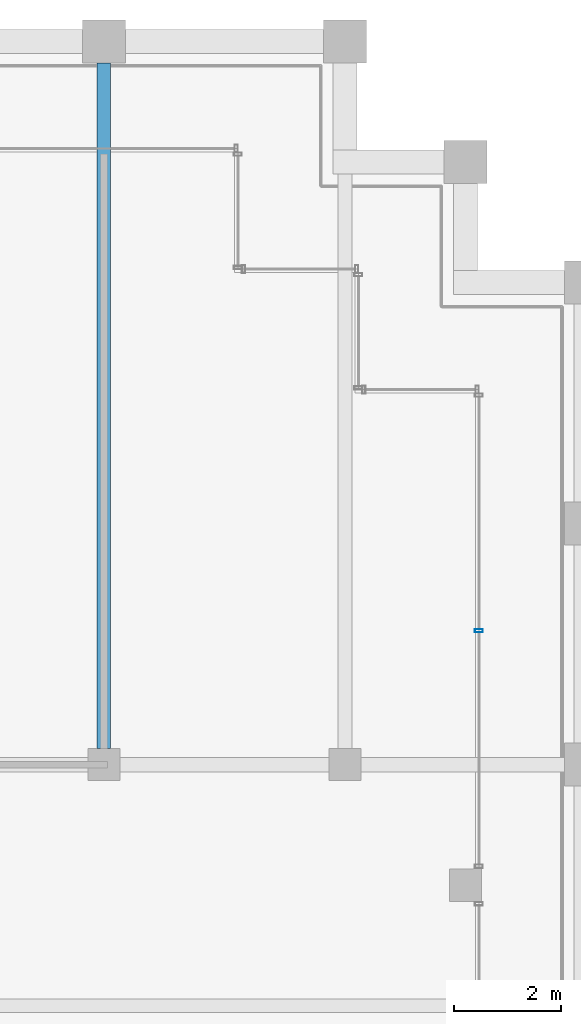
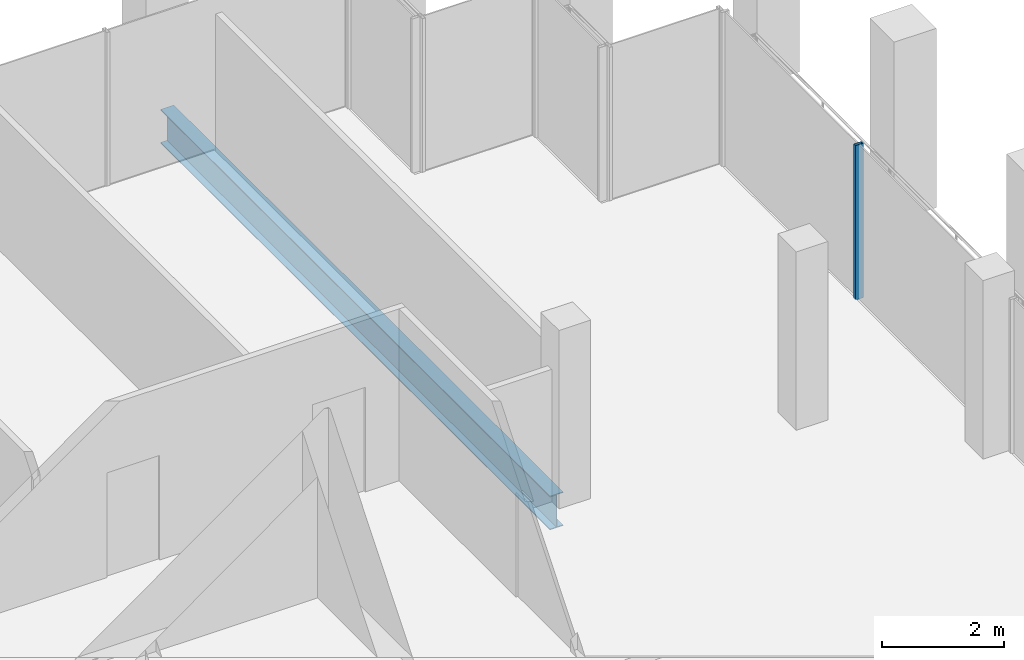
# One storey, part 24 of 30: 1 beam, 1 member, 1 element without a shape of its own.
"""IFC4 building model written with IfcOpenShell, lengths in metres."""

import ifcopenshell
import ifcopenshell.guid

model = None  # the IFC model being written
_history = None  # IfcOwnerHistory: only IFC2X3 demands one
_inside = {}  # id of a spatial element -> (the spatial element, [elements in it])
_under = {}  # id of a project, library or spatial element -> (it, [spatial elements below it])
_declared = {}  # id of a project -> (the project, [libraries it declares])
_typed = {}  # id of a type object -> (the type object, [elements of that type])
_made_of = {}  # id of a material, layer set ... -> (it, [elements and type objects made of it])


def new_model(schema):
    """Start an empty IFC model of exactly this schema.

    Asked for "IFC4X3", IfcOpenShell would pick the latest addendum, in which some entities
    have other attributes; the version numbers below select the first issue.
    IFC2X3 requires an IfcOwnerHistory on every rooted entity: one is made here for all.
    """
    global model, _history
    if schema == "IFC4X3":
        model = ifcopenshell.file(schema_version=(4, 3, 0, 0))
    else:
        model = ifcopenshell.file(schema=schema)
    _inside.clear()
    _under.clear()
    _declared.clear()
    _typed.clear()
    _made_of.clear()
    _history = None
    if model.schema == "IFC2X3":
        org = make("IfcOrganization", Name="unknown")
        user = make(
            "IfcPersonAndOrganization",
            ThePerson=make("IfcPerson", FamilyName="unknown"),
            TheOrganization=org,
        )
        app = make(
            "IfcApplication",
            ApplicationDeveloper=org,
            Version="unknown",
            ApplicationFullName="unknown",
            ApplicationIdentifier="unknown",
        )
        _history = make(
            "IfcOwnerHistory",
            OwningUser=user,
            OwningApplication=app,
            ChangeAction="ADDED",
            CreationDate=0,
        )
    return model


def make(cls, **values):
    """One entity of the class cls with the attributes given. An attribute that is None is left unset."""
    return model.create_entity(
        cls, **{name: value for name, value in values.items() if value is not None}
    )


def rooted(cls, **values):
    """An entity with a GlobalId (a new one), such as an element, a storey or a relation."""
    return make(cls, GlobalId=ifcopenshell.guid.new(), OwnerHistory=_history, **values)


def si_unit(unit_type, name, prefix=None):
    """IfcSIUnit, for example si_unit("LENGTHUNIT", "METRE", prefix="MILLI")."""
    return make("IfcSIUnit", UnitType=unit_type, Prefix=prefix, Name=name)


def assignment(units):
    """IfcUnitAssignment: the units of a project."""
    return None if units is None else make("IfcUnitAssignment", Units=units)


def point(xyz):
    """IfcCartesianPoint."""
    return None if xyz is None else make("IfcCartesianPoint", Coordinates=xyz)


def direction(xyz):
    """IfcDirection."""
    return None if xyz is None else make("IfcDirection", DirectionRatios=xyz)


def frame(location, z_axis=None, x_axis=None):
    """IfcAxis2Placement3D, a coordinate frame: its origin and axes. An axis left out is left unset."""
    return make(
        "IfcAxis2Placement3D",
        Location=point(location),
        Axis=direction(z_axis),
        RefDirection=direction(x_axis),
    )


def frame_2d(location, x_axis=None):
    """IfcAxis2Placement2D, a coordinate frame in the plane: its origin and x axis."""
    return make(
        "IfcAxis2Placement2D", Location=point(location), RefDirection=direction(x_axis)
    )


def origin():
    """The frame at (0, 0, 0) with its axes left unset."""
    return frame((0.0, 0.0, 0.0))


def origin_2d():
    """The frame at (0, 0) in the plane with its x axis left unset."""
    return frame_2d((0.0, 0.0))


def place(relative_to, where):
    """IfcLocalPlacement: puts the frame where relative to a parent placement (None: the world)."""
    return make(
        "IfcLocalPlacement", PlacementRelTo=relative_to, RelativePlacement=where
    )


def context(
    kind, dimensions, precision=None, world=None, true_north=None, identifier=None
):
    """IfcGeometricRepresentationContext, for example the 3D "Model" context."""
    return make(
        "IfcGeometricRepresentationContext",
        ContextIdentifier=identifier,
        ContextType=kind,
        CoordinateSpaceDimension=dimensions,
        Precision=precision,
        WorldCoordinateSystem=world,
        TrueNorth=true_north,
    )


def subcontext(parent, identifier, kind, view, scale=None):
    """IfcGeometricRepresentationSubContext, for example "Body" below "Model"."""
    return make(
        "IfcGeometricRepresentationSubContext",
        ContextIdentifier=identifier,
        ContextType=kind,
        ParentContext=parent,
        TargetScale=scale,
        TargetView=view,
    )


def project(units=None, contexts=None):
    """IfcProject with its units and contexts."""
    return rooted(
        "IfcProject",
        Name="project",
        RepresentationContexts=contexts,
        UnitsInContext=assignment(units),
    )


def spatial(cls, under=None, at=None, **own):
    """A site, building, storey or space (cls), placed at a placement, below another one or the project."""
    s = rooted(cls, ObjectPlacement=at, **own)
    if under is not None:
        _under.setdefault(under.id(), (under, []))[1].append(s)
    return s


def profile(cls, at=None, kind="AREA", **sizes):
    """A parametric profile (cls). Its sizes go by their IFC names, for example OverallWidth=200.0."""
    return make(cls, ProfileType=kind, Position=at, **sizes)


def hollow_rectangle(**sizes):
    """IfcRectangleHollowProfileDef."""
    return profile("IfcRectangleHollowProfileDef", **sizes)


def i_section(**sizes):
    """IfcIShapeProfileDef."""
    return profile("IfcIShapeProfileDef", **sizes)


def extrude(swept, where, along, depth):
    """IfcExtrudedAreaSolid: the profile swept, set in the frame where, extruded along a direction by depth."""
    return make(
        "IfcExtrudedAreaSolid",
        SweptArea=swept,
        Position=where,
        ExtrudedDirection=direction(along),
        Depth=depth,
    )


def shape(context_of_items, identifier, shape_type, items):
    """IfcShapeRepresentation: the items that make up one representation, for example the "Body"."""
    return make(
        "IfcShapeRepresentation",
        ContextOfItems=context_of_items,
        RepresentationIdentifier=identifier,
        RepresentationType=shape_type,
        Items=items,
    )


def material(Name=None, Category=None):
    """IfcMaterial."""
    return make("IfcMaterial", Name=Name, Category=Category)


def material_profile(
    of_material, cross_section, Name=None, Category=None, Priority=None
):
    """IfcMaterialProfile: a cross section and its material."""
    return make(
        "IfcMaterialProfile",
        Name=Name,
        Material=of_material,
        Profile=cross_section,
        Priority=Priority,
        Category=Category,
    )


def profile_set(profiles, Name=None, composite=None):
    """IfcMaterialProfileSet."""
    return make(
        "IfcMaterialProfileSet",
        Name=Name,
        MaterialProfiles=profiles,
        CompositeProfile=composite,
    )


def made_of(thing, what):
    """Note that an element or type object is made of a material, layer set ...; save() writes the relation."""
    if what is not None:
        _made_of.setdefault(what.id(), (what, []))[1].append(thing)
    return thing


def type_object(cls, material=None, **own):
    """A type object (cls), such as IfcWallType, which elements share."""
    return made_of(rooted(cls, **own), material)


def element(
    cls,
    number,
    at=None,
    inside=None,
    cuts=None,
    type_object=None,
    material=None,
    context=None,
    identifier="Body",
    shape_type=None,
    held_by="IfcProductDefinitionShape",
    body=None,
    shapes=None,
    **own,
):
    """One element of the class cls, such as IfcWall. Its Tag is "e" and its number.

    at: its placement. inside: the storey or other place that contains it. cuts: it is an
    opening in that element (IfcRelVoidsElement). A single representation is given by context,
    identifier, shape_type and body (its items); several are given by shapes. held_by: the class
    of the entity that holds the representations. save() writes the other relations.
    """
    e = rooted(cls, Tag="e%d" % number, ObjectPlacement=at, **own)
    if body is not None:
        shapes = [shape(context, identifier, shape_type, body)]
    if shapes is not None:
        e.Representation = make(held_by, Representations=shapes)
    if inside is not None:
        _inside.setdefault(inside.id(), (inside, []))[1].append(e)
    if cuts is not None:
        rooted(
            "IfcRelVoidsElement", RelatingBuildingElement=cuts, RelatedOpeningElement=e
        )
    if type_object is not None:
        _typed.setdefault(type_object.id(), (type_object, []))[1].append(e)
    return made_of(e, material)


def aggregate(whole, parts):
    """IfcRelAggregates: a whole, such as a stair, and the parts it consists of."""
    return rooted("IfcRelAggregates", RelatingObject=whole, RelatedObjects=parts)


def save(model, path):
    """Write the relations noted so far, then the file.

    IfcRelAggregates (storeys below a building ...), IfcRelContainedInSpatialStructure (elements
    in a storey), IfcRelDefinesByType, IfcRelAssociatesMaterial and IfcRelDeclares: one each for
    every whole, place, type object, material and project.
    """
    for whole, parts in _under.values():
        aggregate(whole, parts)
    for where, things in _inside.values():
        rooted(
            "IfcRelContainedInSpatialStructure",
            RelatedElements=things,
            RelatingStructure=where,
        )
    for kind, things in _typed.values():
        rooted("IfcRelDefinesByType", RelatedObjects=things, RelatingType=kind)
    for what, things in _made_of.values():
        rooted("IfcRelAssociatesMaterial", RelatedObjects=things, RelatingMaterial=what)
    for by, libraries in _declared.values():
        rooted("IfcRelDeclares", RelatingContext=by, RelatedDefinitions=libraries)
    model.write(path)


model = new_model("IFC4")

# Units and contexts
model_context = context("Model", 3, precision=1e-05, world=origin(), true_north=direction((0.0, 1.0)))
body_context = subcontext(model_context, "Body", "Model", "MODEL_VIEW")
ifc_project = project(units=[si_unit("LENGTHUNIT", "METRE"), si_unit("AREAUNIT", "SQUARE_METRE"), si_unit("VOLUMEUNIT", "CUBIC_METRE"), si_unit("PLANEANGLEUNIT", "RADIAN"), si_unit("MASSUNIT", "GRAM", prefix="KILO")], contexts=[model_context])

# Site, building, storey
site_placement = place(None, origin())
site = spatial("IfcSite", under=ifc_project, at=site_placement, CompositionType="ELEMENT")
building_placement = place(site_placement, origin())
building = spatial("IfcBuilding", under=site, at=building_placement, Name="Altepetl Exchange Towers", CompositionType="ELEMENT")
storey_placement = place(building_placement, frame((0.0, 0.0, 224.39990234375)))
storey = spatial("IfcBuildingStorey", under=building, at=storey_placement, Name="L57", CompositionType="ELEMENT", Elevation=224.39990234375)

# Beam
ifc_material_1 = material(Name="Steel S355", Category="steel")
ifc_material_profile_1 = material_profile(ifc_material_1, i_section(OverallWidth=0.2529296875, OverallDepth=0.677978515625, WebThickness=0.01171875, FlangeThickness=0.016357421875, at=origin_2d()), Name="W27X84")
ifc_profile_set_1 = profile_set([ifc_material_profile_1], Name="Steel S355")
beam_type = type_object("IfcBeamType", Name="Floor beam W27X84", PredefinedType="BEAM", material=ifc_profile_set_1)
beam_placement = place(storey_placement, frame((63.0, 58.800048828125, -0.489013671875), z_axis=(0.0, 1.0, 0.0), x_axis=(-1.0, 0.0, 0.0)))
element("IfcBeam", 1, at=beam_placement, inside=storey, type_object=beam_type, Name="bm:A:L57:004", PredefinedType="BEAM", context=body_context, shape_type="SweptSolid", body=[
    extrude(i_section(OverallWidth=0.2529296875, OverallDepth=0.677978515625, WebThickness=0.01171875, FlangeThickness=0.016357421875, at=origin_2d()), origin(), (0.0, 0.0, 1.0), 12.800048828125),
])

# Curtain wall, member
ifc_material_2 = material(Name="Aluminium 6063-T6 glazing", Category="aluminium")
curtain_wall_type = type_object("IfcCurtainWallType", Name="Loggia glazing system", PredefinedType="NOTDEFINED", material=ifc_material_2)
curtain_wall_placement = place(storey_placement, origin())
curtain_wall = element("IfcCurtainWall", 2, at=curtain_wall_placement, inside=storey, type_object=curtain_wall_type, Name="CW1 run", PredefinedType="NOTDEFINED")
ifc_material_3 = material(Name="Aluminium 6063-T6", Category="aluminium")
ifc_material_profile_2 = material_profile(ifc_material_3, hollow_rectangle(XDim=0.06005859375, YDim=0.14990234375, WallThickness=0.0029296875, at=origin_2d()), Name="Mullion 60x150 aluminium")
ifc_profile_set_2 = profile_set([ifc_material_profile_2], Name="Aluminium 6063-T6")
member_type = type_object("IfcMemberType", Name="Mullion 60x150 aluminium", PredefinedType="MULLION", material=ifc_profile_set_2)
member_placement = place(storey_placement, frame((70.0, 60.99755859375, 0.0), z_axis=(0.0, 0.0, 1.0), x_axis=(0.0, 1.0, 0.0)))
member = element("IfcMember", 3, at=member_placement, type_object=member_type, Name="MU1 mullion", PredefinedType="MULLION", context=body_context, shape_type="SweptSolid", body=[
    extrude(hollow_rectangle(XDim=0.06005859375, YDim=0.14990234375, WallThickness=0.0029296875, at=origin_2d()), origin(), (0.0, 0.0, 1.0), 3.10009765625),
])
aggregate(curtain_wall, [member])

save(model, "model.ifc")
